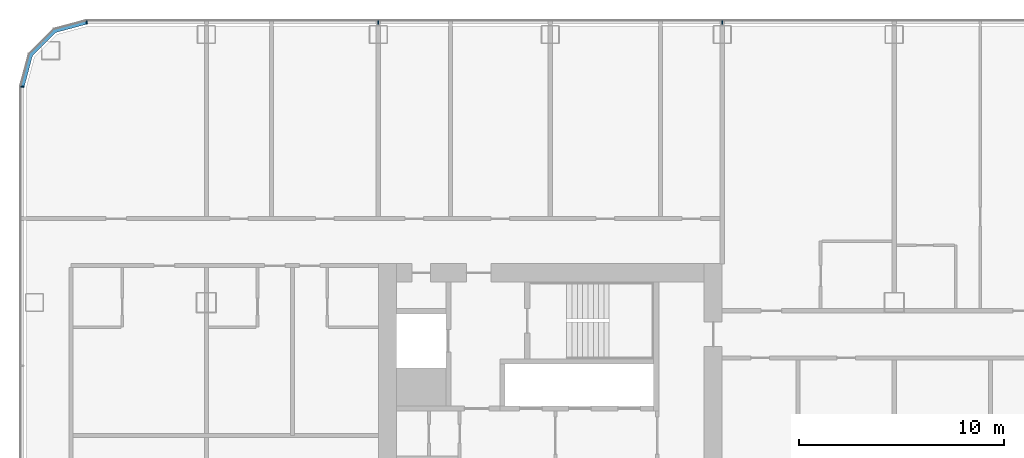
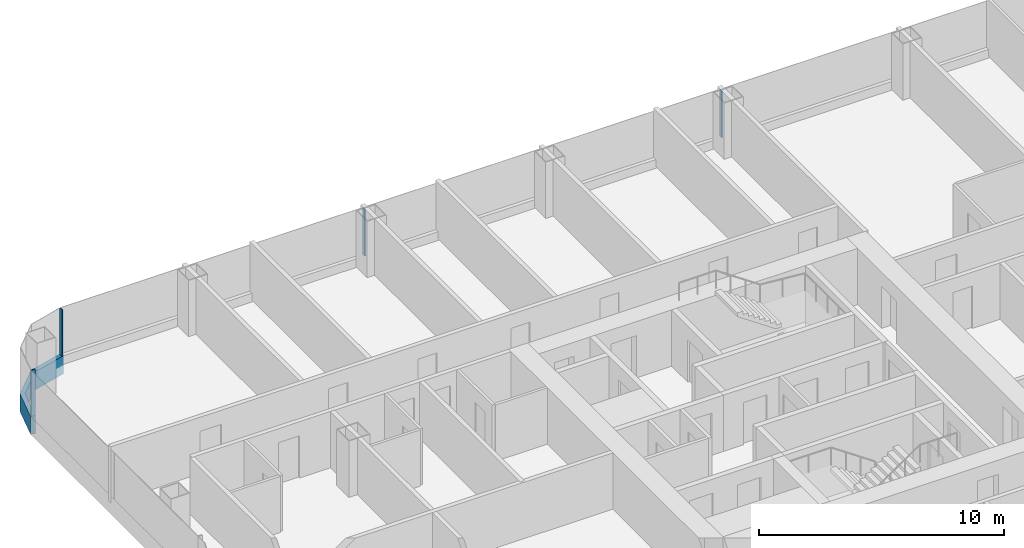
# One storey, part 6 of 28: 5 members, 3 elements without a shape of their own.
"""IFC4 building model written with IfcOpenShell, lengths in metres."""

from ifc_helpers import new_model, si_unit, direction, frame, origin, origin_2d, place, context, subcontext, project, spatial, polyline, rectangle, outline, extrude, material, layer, layer_set, material_profile, profile_set, type_object, element, aggregate, save


model = new_model("IFC4")

# Units and contexts
model_context = context("Model", 3, precision=1e-05, world=origin(), true_north=direction((0.0, 1.0)))
body_context = subcontext(model_context, "Body", "Model", "MODEL_VIEW")
ifc_project = project(units=[si_unit("LENGTHUNIT", "METRE"), si_unit("AREAUNIT", "SQUARE_METRE"), si_unit("VOLUMEUNIT", "CUBIC_METRE"), si_unit("PLANEANGLEUNIT", "RADIAN"), si_unit("MASSUNIT", "GRAM", prefix="KILO")], contexts=[model_context])

# Site, building, storey
site_placement = place(None, origin())
site = spatial("IfcSite", under=ifc_project, at=site_placement, CompositionType="ELEMENT")
building_placement = place(site_placement, origin())
building = spatial("IfcBuilding", under=site, at=building_placement, Name="Hakoniwa Tower and Hamabe Station Hall", CompositionType="ELEMENT")
storey_placement = place(building_placement, frame((0.0, 0.0, 32.60009765625)))
storey = spatial("IfcBuildingStorey", under=building, at=storey_placement, Name="L08", CompositionType="ELEMENT", Elevation=32.60009765625)

# Curtain wall, member
ifc_material_1 = material(Name="Dark low-e laminated glass", Category="glass")
ifc_layer = layer(ifc_material_1, 0.199951171875)
ifc_layer_set = layer_set([ifc_layer], Name="CW-1 UNITISED GUEST")
curtain_wall_type = type_object("IfcCurtainWallType", Name="CW-1 UNITISED GUEST", PredefinedType="NOTDEFINED", material=ifc_layer_set)
curtain_wall_1_placement = place(storey_placement, origin())
curtain_wall_1 = element("IfcCurtainWall", 1, at=curtain_wall_1_placement, inside=storey, type_object=curtain_wall_type, Name="CW-1 curtain wall", PredefinedType="NOTDEFINED")
ifc_material_2 = material(Name="Aluminium 6063-T5 black anodised", Category="aluminium")
ifc_material_profile_1 = material_profile(ifc_material_2, rectangle(XDim=0.199951171875, YDim=0.89990234375, at=origin_2d()), Name="CW SLAB-EDGE BAND 900X200")
ifc_profile_set_1 = profile_set([ifc_material_profile_1], Name="Aluminium 6063-T5 black anodised")
member_type_1 = type_object("IfcMemberType", Name="CW SLAB-EDGE BAND 900X200", PredefinedType="USERDEFINED", material=ifc_profile_set_1)
member_1_placement = place(storey_placement, frame((0.0, 0.0, -0.550048828125)))
member_1 = element("IfcMember", 2, at=member_1_placement, type_object=member_type_1, Name="CW-1 transom", ObjectType="TRANSOM", PredefinedType="USERDEFINED", context=body_context, shape_type="SweptSolid", body=[
    extrude(outline(polyline([(-47.839599609375, 20.300048828125), (-49.455322265625, 19.866943359375), (-50.6669921875, 18.6552734375), (-51.10009765625, 17.03955078125), (-50.90673828125, 16.98779296875), (-50.48779296875, 18.5517578125), (-49.351806640625, 19.687744140625), (-47.787841796875, 20.10693359375), (-47.839599609375, 20.300048828125)])), origin(), (0.0, 0.0, 1.0), 0.89990234375),
])
aggregate(curtain_wall_1, [member_1])

# Curtain wall, members
curtain_wall_2_placement = place(storey_placement, origin())
curtain_wall_2 = element("IfcCurtainWall", 3, at=curtain_wall_2_placement, inside=storey, type_object=curtain_wall_type, Name="CW-1 curtain wall", PredefinedType="NOTDEFINED")
ifc_material_3 = material(Name="Aluminium 6063-T5 black anodised", Category="aluminium")
ifc_material_profile_2 = material_profile(ifc_material_3, rectangle(XDim=0.06005859375, YDim=0.179931640625, at=origin_2d()), Name="CW-1 MULLION 60X180")
ifc_profile_set_2 = profile_set([ifc_material_profile_2], Name="Aluminium 6063-T5 black anodised")
member_type_2 = type_object("IfcMemberType", Name="CW-1 MULLION 60X180", PredefinedType="MULLION", material=ifc_profile_set_2)
member_2_placement = place(storey_placement, frame((-16.800048828125, 20.181884765625, 0.349853515625), z_axis=(0.0, 0.0, 1.0), x_axis=(-1.0, 0.0, 0.0)))
member_2 = element("IfcMember", 4, at=member_2_placement, type_object=member_type_2, Name="CW-1 mullion", PredefinedType="MULLION", context=body_context, shape_type="SweptSolid", body=[
    extrude(rectangle(XDim=0.06005859375, YDim=0.179931640625, at=origin_2d()), origin(), (0.0, 0.0, 1.0), 2.300048828125),
])
member_3_placement = place(storey_placement, frame((-33.60009765625, 20.181884765625, 0.349853515625), z_axis=(0.0, 0.0, 1.0), x_axis=(-1.0, 0.0, 0.0)))
member_3 = element("IfcMember", 5, at=member_3_placement, type_object=member_type_2, Name="CW-1 mullion", PredefinedType="MULLION", context=body_context, shape_type="SweptSolid", body=[
    extrude(rectangle(XDim=0.06005859375, YDim=0.179931640625, at=origin_2d()), origin(), (0.0, 0.0, 1.0), 2.300048828125),
])
member_4_placement = place(storey_placement, frame((-47.839599609375, 20.181884765625, 0.349853515625), z_axis=(0.0, 0.0, 1.0), x_axis=(-1.0, 0.0, 0.0)))
member_4 = element("IfcMember", 6, at=member_4_placement, type_object=member_type_2, Name="CW-1 mullion", PredefinedType="MULLION", context=body_context, shape_type="SweptSolid", body=[
    extrude(rectangle(XDim=0.06005859375, YDim=0.179931640625, at=origin_2d()), origin(), (0.0, 0.0, 1.0), 2.300048828125),
])
aggregate(curtain_wall_2, [member_2, member_3, member_4])

# Curtain wall, member
curtain_wall_3_placement = place(storey_placement, origin())
curtain_wall_3 = element("IfcCurtainWall", 7, at=curtain_wall_3_placement, inside=storey, type_object=curtain_wall_type, Name="CW-1 curtain wall", PredefinedType="NOTDEFINED")
member_5_placement = place(storey_placement, frame((-50.98193359375, 17.03955078125, 0.349853515625), z_axis=(0.0, 0.0, 1.0), x_axis=(0.0, -1.0, 0.0)))
member_5 = element("IfcMember", 8, at=member_5_placement, type_object=member_type_2, Name="CW-1 mullion", PredefinedType="MULLION", context=body_context, shape_type="SweptSolid", body=[
    extrude(rectangle(XDim=0.06005859375, YDim=0.179931640625, at=origin_2d()), origin(), (0.0, 0.0, 1.0), 2.300048828125),
])
aggregate(curtain_wall_3, [member_5])

save(model, "model.ifc")
